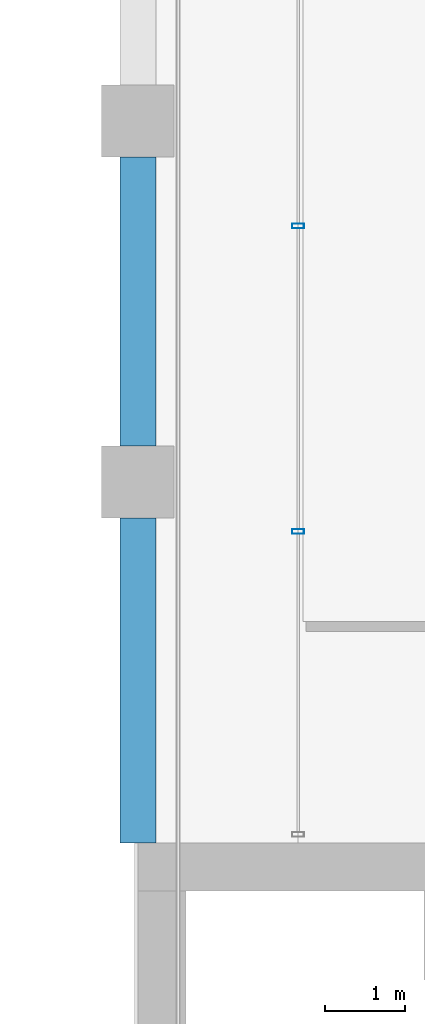
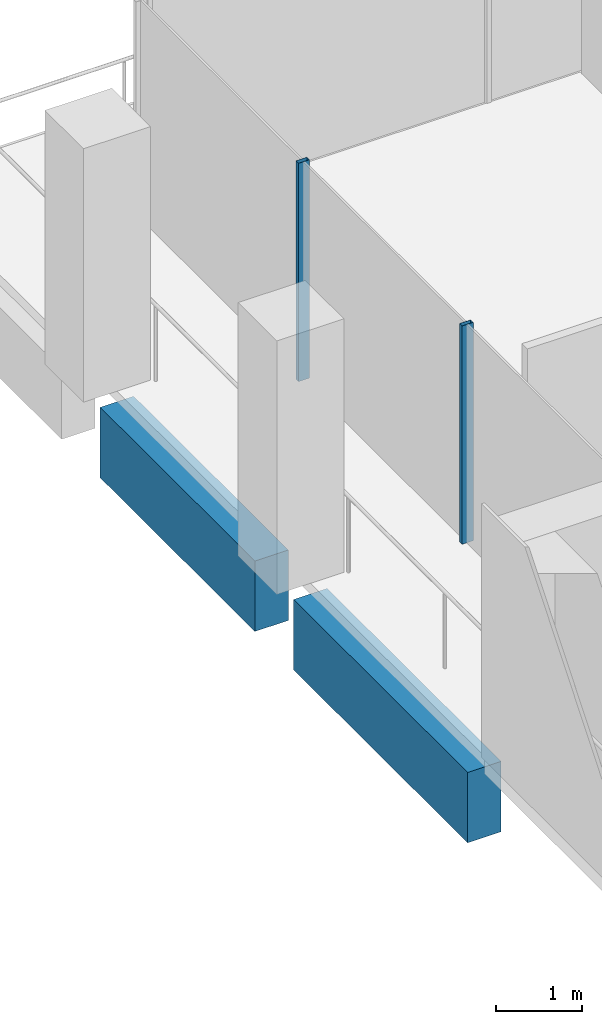
# One storey, part 20 of 40: 2 beams, 2 members, 1 element without a shape of its own.
"""IFC4 building model written with IfcOpenShell, lengths in metres."""

import ifcopenshell
import ifcopenshell.guid

model = None  # the IFC model being written
_history = None  # IfcOwnerHistory: only IFC2X3 demands one
_inside = {}  # id of a spatial element -> (the spatial element, [elements in it])
_under = {}  # id of a project, library or spatial element -> (it, [spatial elements below it])
_declared = {}  # id of a project -> (the project, [libraries it declares])
_typed = {}  # id of a type object -> (the type object, [elements of that type])
_made_of = {}  # id of a material, layer set ... -> (it, [elements and type objects made of it])


def new_model(schema):
    """Start an empty IFC model of exactly this schema.

    Asked for "IFC4X3", IfcOpenShell would pick the latest addendum, in which some entities
    have other attributes; the version numbers below select the first issue.
    IFC2X3 requires an IfcOwnerHistory on every rooted entity: one is made here for all.
    """
    global model, _history
    if schema == "IFC4X3":
        model = ifcopenshell.file(schema_version=(4, 3, 0, 0))
    else:
        model = ifcopenshell.file(schema=schema)
    _inside.clear()
    _under.clear()
    _declared.clear()
    _typed.clear()
    _made_of.clear()
    _history = None
    if model.schema == "IFC2X3":
        org = make("IfcOrganization", Name="unknown")
        user = make(
            "IfcPersonAndOrganization",
            ThePerson=make("IfcPerson", FamilyName="unknown"),
            TheOrganization=org,
        )
        app = make(
            "IfcApplication",
            ApplicationDeveloper=org,
            Version="unknown",
            ApplicationFullName="unknown",
            ApplicationIdentifier="unknown",
        )
        _history = make(
            "IfcOwnerHistory",
            OwningUser=user,
            OwningApplication=app,
            ChangeAction="ADDED",
            CreationDate=0,
        )
    return model


def make(cls, **values):
    """One entity of the class cls with the attributes given. An attribute that is None is left unset."""
    return model.create_entity(
        cls, **{name: value for name, value in values.items() if value is not None}
    )


def rooted(cls, **values):
    """An entity with a GlobalId (a new one), such as an element, a storey or a relation."""
    return make(cls, GlobalId=ifcopenshell.guid.new(), OwnerHistory=_history, **values)


def si_unit(unit_type, name, prefix=None):
    """IfcSIUnit, for example si_unit("LENGTHUNIT", "METRE", prefix="MILLI")."""
    return make("IfcSIUnit", UnitType=unit_type, Prefix=prefix, Name=name)


def assignment(units):
    """IfcUnitAssignment: the units of a project."""
    return None if units is None else make("IfcUnitAssignment", Units=units)


def point(xyz):
    """IfcCartesianPoint."""
    return None if xyz is None else make("IfcCartesianPoint", Coordinates=xyz)


def direction(xyz):
    """IfcDirection."""
    return None if xyz is None else make("IfcDirection", DirectionRatios=xyz)


def frame(location, z_axis=None, x_axis=None):
    """IfcAxis2Placement3D, a coordinate frame: its origin and axes. An axis left out is left unset."""
    return make(
        "IfcAxis2Placement3D",
        Location=point(location),
        Axis=direction(z_axis),
        RefDirection=direction(x_axis),
    )


def frame_2d(location, x_axis=None):
    """IfcAxis2Placement2D, a coordinate frame in the plane: its origin and x axis."""
    return make(
        "IfcAxis2Placement2D", Location=point(location), RefDirection=direction(x_axis)
    )


def origin():
    """The frame at (0, 0, 0) with its axes left unset."""
    return frame((0.0, 0.0, 0.0))


def origin_2d():
    """The frame at (0, 0) in the plane with its x axis left unset."""
    return frame_2d((0.0, 0.0))


def place(relative_to, where):
    """IfcLocalPlacement: puts the frame where relative to a parent placement (None: the world)."""
    return make(
        "IfcLocalPlacement", PlacementRelTo=relative_to, RelativePlacement=where
    )


def context(
    kind, dimensions, precision=None, world=None, true_north=None, identifier=None
):
    """IfcGeometricRepresentationContext, for example the 3D "Model" context."""
    return make(
        "IfcGeometricRepresentationContext",
        ContextIdentifier=identifier,
        ContextType=kind,
        CoordinateSpaceDimension=dimensions,
        Precision=precision,
        WorldCoordinateSystem=world,
        TrueNorth=true_north,
    )


def subcontext(parent, identifier, kind, view, scale=None):
    """IfcGeometricRepresentationSubContext, for example "Body" below "Model"."""
    return make(
        "IfcGeometricRepresentationSubContext",
        ContextIdentifier=identifier,
        ContextType=kind,
        ParentContext=parent,
        TargetScale=scale,
        TargetView=view,
    )


def project(units=None, contexts=None):
    """IfcProject with its units and contexts."""
    return rooted(
        "IfcProject",
        Name="project",
        RepresentationContexts=contexts,
        UnitsInContext=assignment(units),
    )


def spatial(cls, under=None, at=None, **own):
    """A site, building, storey or space (cls), placed at a placement, below another one or the project."""
    s = rooted(cls, ObjectPlacement=at, **own)
    if under is not None:
        _under.setdefault(under.id(), (under, []))[1].append(s)
    return s


def profile(cls, at=None, kind="AREA", **sizes):
    """A parametric profile (cls). Its sizes go by their IFC names, for example OverallWidth=200.0."""
    return make(cls, ProfileType=kind, Position=at, **sizes)


def rectangle(**sizes):
    """IfcRectangleProfileDef."""
    return profile("IfcRectangleProfileDef", **sizes)


def hollow_rectangle(**sizes):
    """IfcRectangleHollowProfileDef."""
    return profile("IfcRectangleHollowProfileDef", **sizes)


def extrude(swept, where, along, depth):
    """IfcExtrudedAreaSolid: the profile swept, set in the frame where, extruded along a direction by depth."""
    return make(
        "IfcExtrudedAreaSolid",
        SweptArea=swept,
        Position=where,
        ExtrudedDirection=direction(along),
        Depth=depth,
    )


def shape(context_of_items, identifier, shape_type, items):
    """IfcShapeRepresentation: the items that make up one representation, for example the "Body"."""
    return make(
        "IfcShapeRepresentation",
        ContextOfItems=context_of_items,
        RepresentationIdentifier=identifier,
        RepresentationType=shape_type,
        Items=items,
    )


def material(Name=None, Category=None):
    """IfcMaterial."""
    return make("IfcMaterial", Name=Name, Category=Category)


def material_profile(
    of_material, cross_section, Name=None, Category=None, Priority=None
):
    """IfcMaterialProfile: a cross section and its material."""
    return make(
        "IfcMaterialProfile",
        Name=Name,
        Material=of_material,
        Profile=cross_section,
        Priority=Priority,
        Category=Category,
    )


def profile_set(profiles, Name=None, composite=None):
    """IfcMaterialProfileSet."""
    return make(
        "IfcMaterialProfileSet",
        Name=Name,
        MaterialProfiles=profiles,
        CompositeProfile=composite,
    )


def made_of(thing, what):
    """Note that an element or type object is made of a material, layer set ...; save() writes the relation."""
    if what is not None:
        _made_of.setdefault(what.id(), (what, []))[1].append(thing)
    return thing


def type_object(cls, material=None, **own):
    """A type object (cls), such as IfcWallType, which elements share."""
    return made_of(rooted(cls, **own), material)


def element(
    cls,
    number,
    at=None,
    inside=None,
    cuts=None,
    type_object=None,
    material=None,
    context=None,
    identifier="Body",
    shape_type=None,
    held_by="IfcProductDefinitionShape",
    body=None,
    shapes=None,
    **own,
):
    """One element of the class cls, such as IfcWall. Its Tag is "e" and its number.

    at: its placement. inside: the storey or other place that contains it. cuts: it is an
    opening in that element (IfcRelVoidsElement). A single representation is given by context,
    identifier, shape_type and body (its items); several are given by shapes. held_by: the class
    of the entity that holds the representations. save() writes the other relations.
    """
    e = rooted(cls, Tag="e%d" % number, ObjectPlacement=at, **own)
    if body is not None:
        shapes = [shape(context, identifier, shape_type, body)]
    if shapes is not None:
        e.Representation = make(held_by, Representations=shapes)
    if inside is not None:
        _inside.setdefault(inside.id(), (inside, []))[1].append(e)
    if cuts is not None:
        rooted(
            "IfcRelVoidsElement", RelatingBuildingElement=cuts, RelatedOpeningElement=e
        )
    if type_object is not None:
        _typed.setdefault(type_object.id(), (type_object, []))[1].append(e)
    return made_of(e, material)


def aggregate(whole, parts):
    """IfcRelAggregates: a whole, such as a stair, and the parts it consists of."""
    return rooted("IfcRelAggregates", RelatingObject=whole, RelatedObjects=parts)


def save(model, path):
    """Write the relations noted so far, then the file.

    IfcRelAggregates (storeys below a building ...), IfcRelContainedInSpatialStructure (elements
    in a storey), IfcRelDefinesByType, IfcRelAssociatesMaterial and IfcRelDeclares: one each for
    every whole, place, type object, material and project.
    """
    for whole, parts in _under.values():
        aggregate(whole, parts)
    for where, things in _inside.values():
        rooted(
            "IfcRelContainedInSpatialStructure",
            RelatedElements=things,
            RelatingStructure=where,
        )
    for kind, things in _typed.values():
        rooted("IfcRelDefinesByType", RelatedObjects=things, RelatingType=kind)
    for what, things in _made_of.values():
        rooted("IfcRelAssociatesMaterial", RelatedObjects=things, RelatingMaterial=what)
    for by, libraries in _declared.values():
        rooted("IfcRelDeclares", RelatingContext=by, RelatedDefinitions=libraries)
    model.write(path)


model = new_model("IFC4")

# Units and contexts
model_context = context("Model", 3, precision=1e-05, world=origin(), true_north=direction((0.0, 1.0)))
body_context = subcontext(model_context, "Body", "Model", "MODEL_VIEW")
ifc_project = project(units=[si_unit("LENGTHUNIT", "METRE"), si_unit("AREAUNIT", "SQUARE_METRE"), si_unit("VOLUMEUNIT", "CUBIC_METRE"), si_unit("PLANEANGLEUNIT", "RADIAN"), si_unit("MASSUNIT", "GRAM", prefix="KILO")], contexts=[model_context])

# Site, building, storey
site_placement = place(None, origin())
site = spatial("IfcSite", under=ifc_project, at=site_placement, CompositionType="ELEMENT")
building_placement = place(site_placement, origin())
building = spatial("IfcBuilding", under=site, at=building_placement, Name="Altepetl Exchange Towers", CompositionType="ELEMENT")
storey_placement = place(building_placement, frame((0.0, 0.0, 161.800048828125)))
storey = spatial("IfcBuildingStorey", under=building, at=storey_placement, Name="L40", CompositionType="ELEMENT", Elevation=161.800048828125)

# Curtain wall, members
ifc_material_1 = material(Name="Aluminium 6063-T6 glazing", Category="aluminium")
curtain_wall_type = type_object("IfcCurtainWallType", Name="Loggia glazing system", PredefinedType="NOTDEFINED", material=ifc_material_1)
curtain_wall_placement = place(storey_placement, origin())
curtain_wall = element("IfcCurtainWall", 1, at=curtain_wall_placement, inside=storey, type_object=curtain_wall_type, Name="CW1 run", PredefinedType="NOTDEFINED")
ifc_material_2 = material(Name="Aluminium 6063-T6", Category="aluminium")
ifc_material_profile_1 = material_profile(ifc_material_2, hollow_rectangle(XDim=0.06005859375, YDim=0.14990234375, WallThickness=0.0029296875, at=origin_2d()), Name="Mullion 60x150 aluminium")
ifc_profile_set_1 = profile_set([ifc_material_profile_1], Name="Aluminium 6063-T6")
member_type = type_object("IfcMemberType", Name="Mullion 60x150 aluminium", PredefinedType="MULLION", material=ifc_profile_set_1)
member_1_placement = place(storey_placement, frame((42.5, 66.191650390625, 0.0), z_axis=(0.0, 0.0, 1.0), x_axis=(0.0, -1.0, 0.0)))
member_1 = element("IfcMember", 2, at=member_1_placement, type_object=member_type, Name="MU1 mullion", PredefinedType="MULLION", context=body_context, shape_type="SweptSolid", body=[
    extrude(hollow_rectangle(XDim=0.06005859375, YDim=0.14990234375, WallThickness=0.0029296875, at=origin_2d()), origin(), (0.0, 0.0, 1.0), 3.099853515625),
])
member_2_placement = place(storey_placement, frame((42.5, 62.38330078125, 0.0), z_axis=(0.0, 0.0, 1.0), x_axis=(0.0, -1.0, 0.0)))
member_2 = element("IfcMember", 3, at=member_2_placement, type_object=member_type, Name="MU1 mullion", PredefinedType="MULLION", context=body_context, shape_type="SweptSolid", body=[
    extrude(hollow_rectangle(XDim=0.06005859375, YDim=0.14990234375, WallThickness=0.0029296875, at=origin_2d()), origin(), (0.0, 0.0, 1.0), 3.099853515625),
])
aggregate(curtain_wall, [member_1, member_2])

# Beams
ifc_material_3 = material(Name="Concrete C50/60 precast with tezontle facing", Category="concrete")
ifc_material_profile_2 = material_profile(ifc_material_3, rectangle(XDim=0.449951171875, YDim=1.0, at=origin_2d()), Name="450 x 1000")
ifc_profile_set_2 = profile_set([ifc_material_profile_2], Name="Concrete C50/60 precast with tezontle facing")
beam_type = type_object("IfcBeamType", Name="Spandrel beam 450x1000 tezontle", PredefinedType="SPANDREL", material=ifc_profile_set_2)
beam_1_placement = place(storey_placement, frame((40.5, 67.050048828125, -0.650146484375), z_axis=(0.0, -1.0, 0.0), x_axis=(1.0, 0.0, 0.0)))
element("IfcBeam", 4, at=beam_1_placement, inside=storey, type_object=beam_type, Name="sp:A:L40:031", PredefinedType="SPANDREL", context=body_context, shape_type="SweptSolid", body=[
    extrude(rectangle(XDim=0.449951171875, YDim=1.0, at=origin_2d()), origin(), (0.0, 0.0, 1.0), 3.60009765625),
])
beam_2_placement = place(storey_placement, frame((40.5, 62.550048828125, -0.650146484375), z_axis=(0.0, -1.0, 0.0), x_axis=(1.0, 0.0, 0.0)))
element("IfcBeam", 5, at=beam_2_placement, inside=storey, type_object=beam_type, Name="sp:A:L40:032", PredefinedType="SPANDREL", context=body_context, shape_type="SweptSolid", body=[
    extrude(rectangle(XDim=0.449951171875, YDim=1.0, at=origin_2d()), origin(), (0.0, 0.0, 1.0), 4.050048828125),
])

save(model, "model.ifc")
